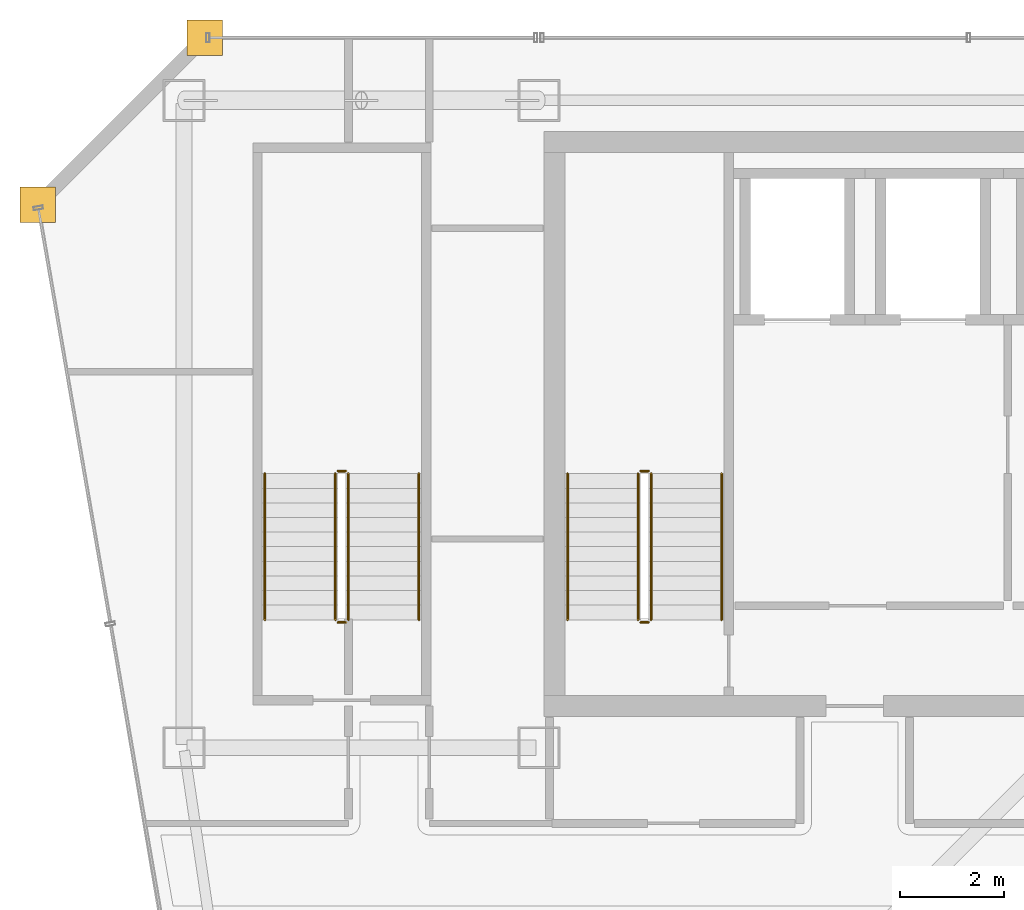
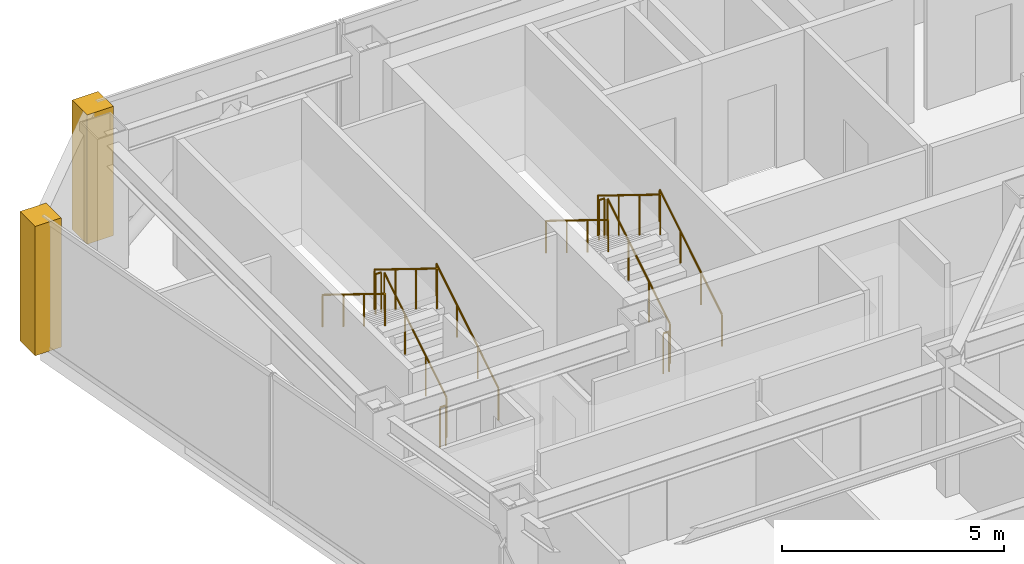
# One storey, part 29 of 31: 12 railings, 2 coverings.
"""IFC4 building model written with IfcOpenShell, lengths in metres."""

from ifc_helpers import new_model, si_unit, direction, frame, origin, origin_2d, place, context, subcontext, project, spatial, polyline, circle, outline, extrude, material, layer, layer_set, type_object, element, save


model = new_model("IFC4")

# Units and contexts
model_context = context("Model", 3, precision=1e-05, world=origin(), true_north=direction((0.0, 1.0)))
body_context = subcontext(model_context, "Body", "Model", "MODEL_VIEW")
ifc_project = project(units=[si_unit("LENGTHUNIT", "METRE"), si_unit("AREAUNIT", "SQUARE_METRE"), si_unit("VOLUMEUNIT", "CUBIC_METRE"), si_unit("PLANEANGLEUNIT", "RADIAN"), si_unit("MASSUNIT", "GRAM", prefix="KILO")], contexts=[model_context])

# Site, building, storey
site_placement = place(None, origin())
site = spatial("IfcSite", under=ifc_project, at=site_placement, CompositionType="ELEMENT")
building_placement = place(site_placement, origin())
building = spatial("IfcBuilding", under=site, at=building_placement, Name="Saevonmaru Cultural Tower", CompositionType="ELEMENT")
storey_placement = place(building_placement, frame((0.0, 0.0, 230.60009765625)))
storey = spatial("IfcBuildingStorey", under=building, at=storey_placement, Name="L53", CompositionType="ELEMENT", Elevation=230.60009765625)

# Coverings
ifc_material_1 = material(Name="Satin Bronze Anodised Aluminium", Category="aluminium")
ifc_layer = layer(ifc_material_1, 0.679931640625, Name="Satin Bronze Anodised Aluminium")
ifc_layer_set = layer_set([ifc_layer], Name="Satin Bronze Anodised Aluminium")
covering_type = type_object("IfcCoveringType", Name="CV-CORNER-CLAD", PredefinedType="CLADDING", material=ifc_layer_set)
covering_1_placement = place(storey_placement, origin())
element("IfcCovering", 1, at=covering_1_placement, inside=storey, type_object=covering_type, Name="L53 Tower Bronze Corner Cladding Pier 11", PredefinedType="CLADDING", context=body_context, shape_type="SweptSolid", body=[
    extrude(outline(polyline([(6.860107421875, 55.659912109375), (7.5400390625, 55.659912109375), (7.5400390625, 56.340087890625), (6.860107421875, 56.340087890625), (6.860107421875, 55.659912109375)])), origin(), (0.0, 0.0, 1.0), 3.5498046875),
])
covering_2_placement = place(storey_placement, origin())
element("IfcCovering", 2, at=covering_2_placement, inside=storey, type_object=covering_type, Name="L53 Tower Bronze Corner Cladding Pier 12", PredefinedType="CLADDING", context=body_context, shape_type="SweptSolid", body=[
    extrude(outline(polyline([(3.659912109375, 52.4599609375), (4.340087890625, 52.4599609375), (4.340087890625, 53.139892578125), (3.659912109375, 53.139892578125), (3.659912109375, 52.4599609375)])), origin(), (0.0, 0.0, 1.0), 3.5498046875),
])

# Railings
ifc_material_2 = material(Name="Architectural Painted Steel", Category="steel")
railing_type_1 = type_object("IfcRailingType", Name="RL-STAIR-GUARD", PredefinedType="GUARDRAIL", material=ifc_material_2)
railing_1_placement = place(storey_placement, frame((15.75, 44.85009765625, 0.172607421875)))
element("IfcRailing", 3, at=railing_1_placement, inside=storey, type_object=railing_type_1, Name="L53 ST-1 stair guard 1", PredefinedType="GUARDRAIL", context=body_context, shape_type="SweptSolid", body=[
    extrude(circle(Radius=0.02392578125, at=origin_2d()), frame((0.0, 0.0, 1.09619140625), z_axis=(0.0, 0.851069175582, 0.525053576669), x_axis=(-1.0, 0.0, 0.0)), (0.0, 0.0, 1.0), 3.289794921875),
    extrude(circle(Radius=0.02099609375, at=origin_2d()), origin(), (0.0, 0.0, 1.0), 1.072021484375),
    extrude(circle(Radius=0.02099609375, at=origin_2d()), frame((0.0, 0.933349609375, 0.57568359375)), (0.0, 0.0, 1.0), 1.072021484375),
    extrude(circle(Radius=0.02099609375, at=origin_2d()), frame((0.0, 1.866455078125, 1.151611328125)), (0.0, 0.0, 1.0), 1.072021484375),
    extrude(circle(Radius=0.02099609375, at=origin_2d()), frame((0.0, 2.7998046875, 1.727294921875)), (0.0, 0.0, 1.0), 1.072021484375),
])
railing_2_placement = place(storey_placement, frame((15.699951171875, 47.699951171875, 1.89990234375)))
element("IfcRailing", 4, at=railing_2_placement, inside=storey, type_object=railing_type_1, Name="L53 ST-1 stair guard 2", PredefinedType="GUARDRAIL", context=body_context, shape_type="SweptSolid", body=[
    extrude(circle(Radius=0.02392578125, at=origin_2d()), frame((0.0, 0.0, 1.09619140625), z_axis=(-1.0, 0.0, 0.0), x_axis=(0.0, -1.0, 0.0)), (0.0, 0.0, 1.0), 0.14990234375),
    extrude(circle(Radius=0.02099609375, at=origin_2d()), origin(), (0.0, 0.0, 1.0), 1.072021484375),
    extrude(circle(Radius=0.02099609375, at=origin_2d()), frame((-0.14990234375, 0.0, 0.0)), (0.0, 0.0, 1.0), 1.072021484375),
])
railing_3_placement = place(storey_placement, frame((15.5, 47.64990234375, 2.072509765625)))
element("IfcRailing", 5, at=railing_3_placement, inside=storey, type_object=railing_type_1, Name="L53 ST-1 stair guard 3", PredefinedType="GUARDRAIL", context=body_context, shape_type="SweptSolid", body=[
    extrude(circle(Radius=0.02392578125, at=origin_2d()), frame((0.0, 0.0, 1.09619140625), z_axis=(0.0, -0.851069175582, 0.525053576669), x_axis=(1.0, 0.0, 0.0)), (0.0, 0.0, 1.0), 3.289794921875),
    extrude(circle(Radius=0.02099609375, at=origin_2d()), origin(), (0.0, 0.0, 1.0), 1.072021484375),
    extrude(circle(Radius=0.02099609375, at=origin_2d()), frame((0.0, -0.933349609375, 0.57568359375)), (0.0, 0.0, 1.0), 1.072021484375),
    extrude(circle(Radius=0.02099609375, at=origin_2d()), frame((0.0, -1.866455078125, 1.151611328125)), (0.0, 0.0, 1.0), 1.072021484375),
    extrude(circle(Radius=0.02099609375, at=origin_2d()), frame((0.0, -2.7998046875, 1.727294921875)), (0.0, 0.0, 1.0), 1.072021484375),
])
railing_4_placement = place(storey_placement, frame((15.699951171875, 44.800048828125, 0.0)))
element("IfcRailing", 6, at=railing_4_placement, inside=storey, type_object=railing_type_1, Name="L53 ST-1 stair guard 4", PredefinedType="GUARDRAIL", context=body_context, shape_type="SweptSolid", body=[
    extrude(circle(Radius=0.02392578125, at=origin_2d()), frame((0.0, 0.0, 1.09619140625), z_axis=(-1.0, 0.0, 0.0), x_axis=(0.0, -1.0, 0.0)), (0.0, 0.0, 1.0), 0.14990234375),
    extrude(circle(Radius=0.02099609375, at=origin_2d()), origin(), (0.0, 0.0, 1.0), 1.072021484375),
    extrude(circle(Radius=0.02099609375, at=origin_2d()), frame((-0.14990234375, 0.0, 0.0)), (0.0, 0.0, 1.0), 1.072021484375),
])
railing_5_placement = place(storey_placement, frame((9.949951171875, 44.85009765625, 0.172607421875)))
element("IfcRailing", 7, at=railing_5_placement, inside=storey, type_object=railing_type_1, Name="L53 ST-3 stair guard 1", PredefinedType="GUARDRAIL", context=body_context, shape_type="SweptSolid", body=[
    extrude(circle(Radius=0.02392578125, at=origin_2d()), frame((0.0, 0.0, 1.09619140625), z_axis=(0.0, 0.851069175582, 0.525053576669), x_axis=(-1.0, 0.0, 0.0)), (0.0, 0.0, 1.0), 3.289794921875),
    extrude(circle(Radius=0.02099609375, at=origin_2d()), origin(), (0.0, 0.0, 1.0), 1.072021484375),
    extrude(circle(Radius=0.02099609375, at=origin_2d()), frame((0.0, 0.933349609375, 0.57568359375)), (0.0, 0.0, 1.0), 1.072021484375),
    extrude(circle(Radius=0.02099609375, at=origin_2d()), frame((0.0, 1.866455078125, 1.151611328125)), (0.0, 0.0, 1.0), 1.072021484375),
    extrude(circle(Radius=0.02099609375, at=origin_2d()), frame((0.0, 2.7998046875, 1.727294921875)), (0.0, 0.0, 1.0), 1.072021484375),
])
railing_6_placement = place(storey_placement, frame((9.89990234375, 47.699951171875, 1.89990234375)))
element("IfcRailing", 8, at=railing_6_placement, inside=storey, type_object=railing_type_1, Name="L53 ST-3 stair guard 2", PredefinedType="GUARDRAIL", context=body_context, shape_type="SweptSolid", body=[
    extrude(circle(Radius=0.02392578125, at=origin_2d()), frame((0.0, 0.0, 1.09619140625), z_axis=(-1.0, 0.0, 0.0), x_axis=(0.0, -1.0, 0.0)), (0.0, 0.0, 1.0), 0.14990234375),
    extrude(circle(Radius=0.02099609375, at=origin_2d()), origin(), (0.0, 0.0, 1.0), 1.072021484375),
    extrude(circle(Radius=0.02099609375, at=origin_2d()), frame((-0.14990234375, 0.0, 0.0)), (0.0, 0.0, 1.0), 1.072021484375),
])
railing_7_placement = place(storey_placement, frame((9.699951171875, 47.64990234375, 2.072509765625)))
element("IfcRailing", 9, at=railing_7_placement, inside=storey, type_object=railing_type_1, Name="L53 ST-3 stair guard 3", PredefinedType="GUARDRAIL", context=body_context, shape_type="SweptSolid", body=[
    extrude(circle(Radius=0.02392578125, at=origin_2d()), frame((0.0, 0.0, 1.09619140625), z_axis=(0.0, -0.851069175582, 0.525053576669), x_axis=(1.0, 0.0, 0.0)), (0.0, 0.0, 1.0), 3.289794921875),
    extrude(circle(Radius=0.02099609375, at=origin_2d()), origin(), (0.0, 0.0, 1.0), 1.072021484375),
    extrude(circle(Radius=0.02099609375, at=origin_2d()), frame((0.0, -0.933349609375, 0.57568359375)), (0.0, 0.0, 1.0), 1.072021484375),
    extrude(circle(Radius=0.02099609375, at=origin_2d()), frame((0.0, -1.866455078125, 1.151611328125)), (0.0, 0.0, 1.0), 1.072021484375),
    extrude(circle(Radius=0.02099609375, at=origin_2d()), frame((0.0, -2.7998046875, 1.727294921875)), (0.0, 0.0, 1.0), 1.072021484375),
])
railing_8_placement = place(storey_placement, frame((9.89990234375, 44.800048828125, 0.0)))
element("IfcRailing", 10, at=railing_8_placement, inside=storey, type_object=railing_type_1, Name="L53 ST-3 stair guard 4", PredefinedType="GUARDRAIL", context=body_context, shape_type="SweptSolid", body=[
    extrude(circle(Radius=0.02392578125, at=origin_2d()), frame((0.0, 0.0, 1.09619140625), z_axis=(-1.0, 0.0, 0.0), x_axis=(0.0, -1.0, 0.0)), (0.0, 0.0, 1.0), 0.14990234375),
    extrude(circle(Radius=0.02099609375, at=origin_2d()), origin(), (0.0, 0.0, 1.0), 1.072021484375),
    extrude(circle(Radius=0.02099609375, at=origin_2d()), frame((-0.14990234375, 0.0, 0.0)), (0.0, 0.0, 1.0), 1.072021484375),
])
railing_type_2 = type_object("IfcRailingType", Name="RL-STAIR-HANDRAIL", PredefinedType="HANDRAIL", material=ifc_material_1)
railing_9_placement = place(storey_placement, frame((17.10009765625, 44.85009765625, 0.172607421875)))
element("IfcRailing", 11, at=railing_9_placement, inside=storey, type_object=railing_type_2, Name="L53 ST-1 stair handrail 1", PredefinedType="HANDRAIL", context=body_context, shape_type="SweptSolid", body=[
    extrude(circle(Radius=0.02392578125, at=origin_2d()), frame((0.0, 0.0, 0.8759765625), z_axis=(0.0, 0.851069175582, 0.525053576669), x_axis=(-1.0, 0.0, 0.0)), (0.0, 0.0, 1.0), 3.289794921875),
    extrude(circle(Radius=0.02099609375, at=origin_2d()), origin(), (0.0, 0.0, 1.0), 0.851806640625),
    extrude(circle(Radius=0.02099609375, at=origin_2d()), frame((0.0, 0.933349609375, 0.57568359375)), (0.0, 0.0, 1.0), 0.851806640625),
    extrude(circle(Radius=0.02099609375, at=origin_2d()), frame((0.0, 1.866455078125, 1.151611328125)), (0.0, 0.0, 1.0), 0.851806640625),
    extrude(circle(Radius=0.02099609375, at=origin_2d()), frame((0.0, 2.7998046875, 1.727294921875)), (0.0, 0.0, 1.0), 0.851806640625),
])
railing_10_placement = place(storey_placement, frame((14.14990234375, 47.64990234375, 2.072509765625)))
element("IfcRailing", 12, at=railing_10_placement, inside=storey, type_object=railing_type_2, Name="L53 ST-1 stair handrail 2", PredefinedType="HANDRAIL", context=body_context, shape_type="SweptSolid", body=[
    extrude(circle(Radius=0.02392578125, at=origin_2d()), frame((0.0, 0.0, 0.8759765625), z_axis=(0.0, -0.851069175582, 0.525053576669), x_axis=(1.0, 0.0, 0.0)), (0.0, 0.0, 1.0), 3.289794921875),
    extrude(circle(Radius=0.02099609375, at=origin_2d()), origin(), (0.0, 0.0, 1.0), 0.851806640625),
    extrude(circle(Radius=0.02099609375, at=origin_2d()), frame((0.0, -0.933349609375, 0.57568359375)), (0.0, 0.0, 1.0), 0.851806640625),
    extrude(circle(Radius=0.02099609375, at=origin_2d()), frame((0.0, -1.866455078125, 1.151611328125)), (0.0, 0.0, 1.0), 0.851806640625),
    extrude(circle(Radius=0.02099609375, at=origin_2d()), frame((0.0, -2.7998046875, 1.727294921875)), (0.0, 0.0, 1.0), 0.851806640625),
])
railing_11_placement = place(storey_placement, frame((11.300048828125, 44.85009765625, 0.172607421875)))
element("IfcRailing", 13, at=railing_11_placement, inside=storey, type_object=railing_type_2, Name="L53 ST-3 stair handrail 1", PredefinedType="HANDRAIL", context=body_context, shape_type="SweptSolid", body=[
    extrude(circle(Radius=0.02392578125, at=origin_2d()), frame((0.0, 0.0, 0.8759765625), z_axis=(0.0, 0.851069175582, 0.525053576669), x_axis=(-1.0, 0.0, 0.0)), (0.0, 0.0, 1.0), 3.289794921875),
    extrude(circle(Radius=0.02099609375, at=origin_2d()), origin(), (0.0, 0.0, 1.0), 0.851806640625),
    extrude(circle(Radius=0.02099609375, at=origin_2d()), frame((0.0, 0.933349609375, 0.57568359375)), (0.0, 0.0, 1.0), 0.851806640625),
    extrude(circle(Radius=0.02099609375, at=origin_2d()), frame((0.0, 1.866455078125, 1.151611328125)), (0.0, 0.0, 1.0), 0.851806640625),
    extrude(circle(Radius=0.02099609375, at=origin_2d()), frame((0.0, 2.7998046875, 1.727294921875)), (0.0, 0.0, 1.0), 0.851806640625),
])
railing_12_placement = place(storey_placement, frame((8.35009765625, 47.64990234375, 2.072509765625)))
element("IfcRailing", 14, at=railing_12_placement, inside=storey, type_object=railing_type_2, Name="L53 ST-3 stair handrail 2", PredefinedType="HANDRAIL", context=body_context, shape_type="SweptSolid", body=[
    extrude(circle(Radius=0.02392578125, at=origin_2d()), frame((0.0, 0.0, 0.8759765625), z_axis=(0.0, -0.851069175582, 0.525053576669), x_axis=(1.0, 0.0, 0.0)), (0.0, 0.0, 1.0), 3.289794921875),
    extrude(circle(Radius=0.02099609375, at=origin_2d()), origin(), (0.0, 0.0, 1.0), 0.851806640625),
    extrude(circle(Radius=0.02099609375, at=origin_2d()), frame((0.0, -0.933349609375, 0.57568359375)), (0.0, 0.0, 1.0), 0.851806640625),
    extrude(circle(Radius=0.02099609375, at=origin_2d()), frame((0.0, -1.866455078125, 1.151611328125)), (0.0, 0.0, 1.0), 0.851806640625),
    extrude(circle(Radius=0.02099609375, at=origin_2d()), frame((0.0, -2.7998046875, 1.727294921875)), (0.0, 0.0, 1.0), 0.851806640625),
])

save(model, "model.ifc")
